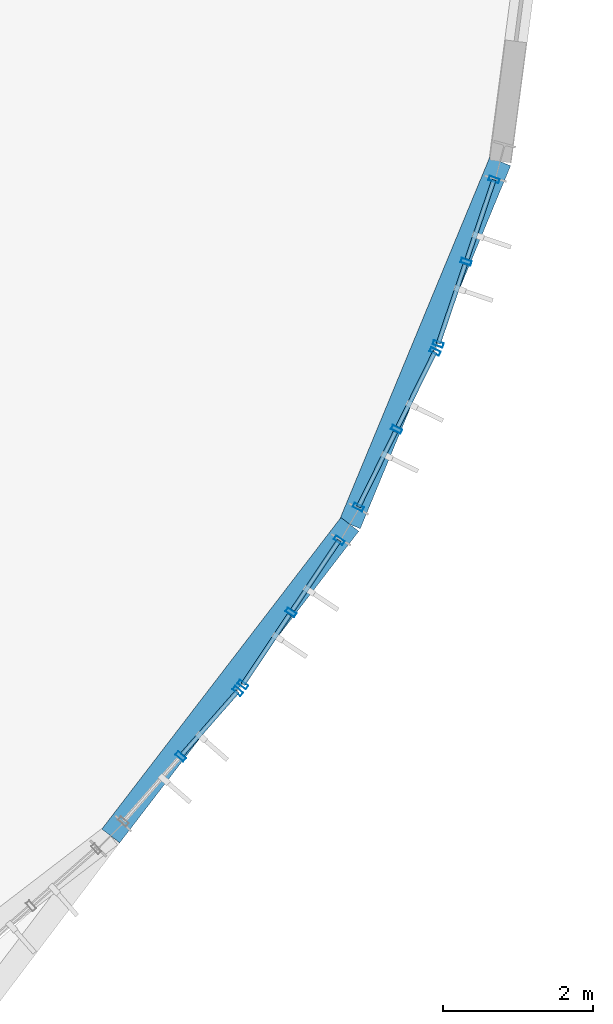
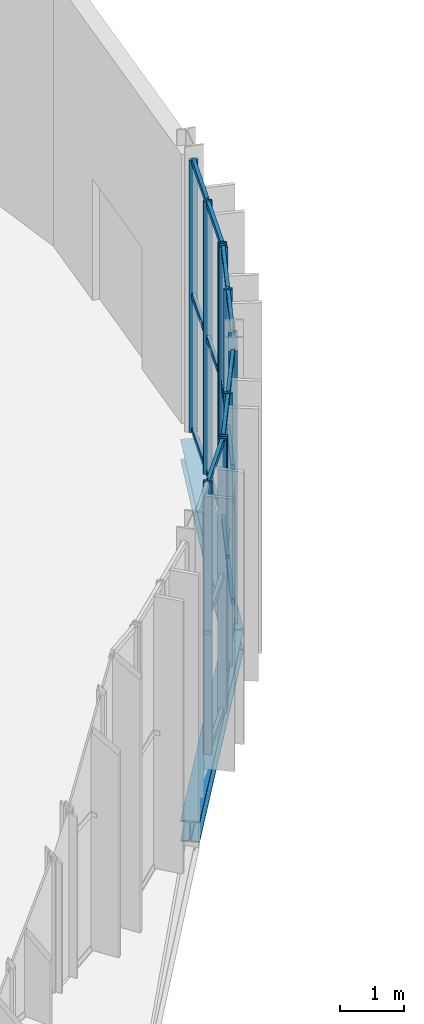
# One storey, part 54 of 158: 32 members, 2 beams, 4 elements without a shape of their own.
"""IFC4 building model written with IfcOpenShell, lengths in metres."""

from ifc_helpers import new_model, si_unit, derived_unit, direction, frame, origin, origin_2d, place, context, subcontext, project, spatial, hollow_rectangle, i_section, extrude, material, material_profile, profile_set, type_object, element, aggregate, save


model = new_model("IFC4")

# Units and contexts
model_context = context("Model", 3, precision=1e-05, world=origin(), true_north=direction((0.0, 1.0)))
body_context = subcontext(model_context, "Body", "Model", "MODEL_VIEW")
ifc_project = project(units=[si_unit("LENGTHUNIT", "METRE"), si_unit("AREAUNIT", "SQUARE_METRE"), si_unit("VOLUMEUNIT", "CUBIC_METRE"), si_unit("PLANEANGLEUNIT", "RADIAN"), si_unit("MASSUNIT", "GRAM", prefix="KILO"), si_unit("THERMODYNAMICTEMPERATUREUNIT", "KELVIN"), si_unit("TIMEUNIT", "SECOND"), derived_unit("THERMALTRANSMITTANCEUNIT", [(si_unit("MASSUNIT", "GRAM", prefix="KILO"), 1), (si_unit("THERMODYNAMICTEMPERATUREUNIT", "KELVIN"), -1), (si_unit("TIMEUNIT", "SECOND"), -3)])], contexts=[model_context])

# Site, building, storey
site_placement = place(None, origin())
site = spatial("IfcSite", under=ifc_project, at=site_placement, CompositionType="ELEMENT")
building_placement = place(site_placement, origin())
building = spatial("IfcBuilding", under=site, at=building_placement, Name="Cambertide Market Hall", CompositionType="ELEMENT")
storey_placement = place(building_placement, origin())
storey = spatial("IfcBuildingStorey", under=building, at=storey_placement, Name="L01", CompositionType="ELEMENT", Elevation=0.0)

# Curtain wall, members
ifc_material_1 = material(Name="Marine Anodized Aluminium 6063-T6 AA25", Category="aluminium")
curtain_wall_type = type_object("IfcCurtainWallType", Name="Lantern Apse Chord Lower Curtain Wall", PredefinedType="USERDEFINED", material=ifc_material_1)
curtain_wall_1_placement = place(storey_placement, origin())
curtain_wall_1 = element("IfcCurtainWall", 1, at=curtain_wall_1_placement, inside=storey, type_object=curtain_wall_type, Name="Level 1 Curtain Wall CW-V1AE-L01-07", ObjectType="UNITIZED CURTAIN WALL", PredefinedType="USERDEFINED")
ifc_material_2 = material(Name="Champagne Marine Anodized Aluminium 6063-T6 AA25", Category="aluminium")
ifc_material_profile_1 = material_profile(ifc_material_2, hollow_rectangle(XDim=0.06005859375, YDim=0.139892578125, WallThickness=0.00341796875, at=origin_2d()), Name="ALU MULLION 60x140")
ifc_profile_set_1 = profile_set([ifc_material_profile_1], Name="Champagne Marine Anodized Aluminium 6063-T6 AA25")
member_type_1 = type_object("IfcMemberType", Name="Curtain Wall Mullion ALU MULLION 60x140", PredefinedType="MULLION", material=ifc_profile_set_1)
member_1_placement = place(storey_placement, frame((120.830810546875, 59.783447265625, 0.0), z_axis=(0.0, 0.0, 1.0), x_axis=(-0.659345784014, -0.751839834741, 0.0)))
member_1 = element("IfcMember", 2, at=member_1_placement, type_object=member_type_1, Name="CW-V1AE-L01-07 Mullion 1", PredefinedType="MULLION", context=body_context, shape_type="SweptSolid", body=[
    extrude(hollow_rectangle(XDim=0.06005859375, YDim=0.139892578125, WallThickness=0.00341796875, at=origin_2d()), origin(), (0.0, 0.0, 1.0), 5.159912109375),
])
member_2_placement = place(storey_placement, frame((120.070556640625, 58.91650390625, 0.0), z_axis=(0.0, 0.0, 1.0), x_axis=(-0.659345784014, -0.751839834741, 0.0)))
member_2 = element("IfcMember", 3, at=member_2_placement, type_object=member_type_1, Name="CW-V1AE-L01-07 Mullion 2", PredefinedType="MULLION", context=body_context, shape_type="SweptSolid", body=[
    extrude(hollow_rectangle(XDim=0.06005859375, YDim=0.139892578125, WallThickness=0.00341796875, at=origin_2d()), origin(), (0.0, 0.0, 1.0), 5.159912109375),
])

curtain_wall_2_placement = place(storey_placement, origin())
curtain_wall_2 = element("IfcCurtainWall", 4, at=curtain_wall_2_placement, inside=storey, type_object=curtain_wall_type, Name="Level 1 Curtain Wall CW-V1AE-L01-08", ObjectType="UNITIZED CURTAIN WALL", PredefinedType="USERDEFINED")
member_3_placement = place(storey_placement, frame((122.178955078125, 61.7880859375, 0.0), z_axis=(0.0, 0.0, 1.0), x_axis=(-0.555570087582, -0.831469709481, 0.0)))
member_3 = element("IfcMember", 5, at=member_3_placement, type_object=member_type_1, Name="CW-V1AE-L01-08 Mullion 1", PredefinedType="MULLION", context=body_context, shape_type="SweptSolid", body=[
    extrude(hollow_rectangle(XDim=0.06005859375, YDim=0.139892578125, WallThickness=0.00341796875, at=origin_2d()), origin(), (0.0, 0.0, 1.0), 5.159912109375),
])
member_4_placement = place(storey_placement, frame((121.538330078125, 60.829345703125, 0.0), z_axis=(0.0, 0.0, 1.0), x_axis=(-0.555570087582, -0.831469709481, 0.0)))
member_4 = element("IfcMember", 6, at=member_4_placement, type_object=member_type_1, Name="CW-V1AE-L01-08 Mullion 2", PredefinedType="MULLION", context=body_context, shape_type="SweptSolid", body=[
    extrude(hollow_rectangle(XDim=0.06005859375, YDim=0.139892578125, WallThickness=0.00341796875, at=origin_2d()), origin(), (0.0, 0.0, 1.0), 5.159912109375),
])
member_5_placement = place(storey_placement, frame((120.897705078125, 59.87060546875, 0.0), z_axis=(0.0, 0.0, 1.0), x_axis=(-0.555570087582, -0.831469709481, 0.0)))
member_5 = element("IfcMember", 7, at=member_5_placement, type_object=member_type_1, Name="CW-V1AE-L01-08 Mullion 3", PredefinedType="MULLION", context=body_context, shape_type="SweptSolid", body=[
    extrude(hollow_rectangle(XDim=0.06005859375, YDim=0.139892578125, WallThickness=0.00341796875, at=origin_2d()), origin(), (0.0, 0.0, 1.0), 5.159912109375),
])

curtain_wall_3_placement = place(storey_placement, origin())
curtain_wall_3 = element("IfcCurtainWall", 8, at=curtain_wall_3_placement, inside=storey, type_object=curtain_wall_type, Name="Level 1 Curtain Wall CW-V1AE-L01-09", ObjectType="UNITIZED CURTAIN WALL", PredefinedType="USERDEFINED")
member_6_placement = place(storey_placement, frame((123.453369140625, 64.297119140625, 0.0), z_axis=(0.0, 0.0, 1.0), x_axis=(-0.442288874522, -0.896872650645, 0.0)))
member_6 = element("IfcMember", 9, at=member_6_placement, type_object=member_type_1, Name="CW-V1AE-L01-09 Mullion 1", PredefinedType="MULLION", context=body_context, shape_type="SweptSolid", body=[
    extrude(hollow_rectangle(XDim=0.06005859375, YDim=0.139892578125, WallThickness=0.00341796875, at=origin_2d()), origin(), (0.0, 0.0, 1.0), 5.159912109375),
])
member_7_placement = place(storey_placement, frame((122.943359375, 63.262939453125, 0.0), z_axis=(0.0, 0.0, 1.0), x_axis=(-0.442288874522, -0.896872650645, 0.0)))
member_7 = element("IfcMember", 10, at=member_7_placement, type_object=member_type_1, Name="CW-V1AE-L01-09 Mullion 2", PredefinedType="MULLION", context=body_context, shape_type="SweptSolid", body=[
    extrude(hollow_rectangle(XDim=0.06005859375, YDim=0.139892578125, WallThickness=0.00341796875, at=origin_2d()), origin(), (0.0, 0.0, 1.0), 5.159912109375),
])
member_8_placement = place(storey_placement, frame((122.433349609375, 62.228759765625, 0.0), z_axis=(0.0, 0.0, 1.0), x_axis=(-0.442288874522, -0.896872650645, 0.0)))
member_8 = element("IfcMember", 11, at=member_8_placement, type_object=member_type_1, Name="CW-V1AE-L01-09 Mullion 3", PredefinedType="MULLION", context=body_context, shape_type="SweptSolid", body=[
    extrude(hollow_rectangle(XDim=0.06005859375, YDim=0.139892578125, WallThickness=0.00341796875, at=origin_2d()), origin(), (0.0, 0.0, 1.0), 5.159912109375),
])

curtain_wall_4_placement = place(storey_placement, origin())
curtain_wall_4 = element("IfcCurtainWall", 12, at=curtain_wall_4_placement, inside=storey, type_object=curtain_wall_type, Name="Level 1 Curtain Wall CW-V1AE-L01-10", ObjectType="UNITIZED CURTAIN WALL", PredefinedType="USERDEFINED")
member_9_placement = place(storey_placement, frame((124.236572265625, 66.58203125, 0.0), z_axis=(0.0, 0.0, 1.0), x_axis=(-0.32143947831, -0.94693012508, 0.0)))
member_9 = element("IfcMember", 13, at=member_9_placement, type_object=member_type_1, Name="CW-V1AE-L01-10 Mullion 1", PredefinedType="MULLION", context=body_context, shape_type="SweptSolid", body=[
    extrude(hollow_rectangle(XDim=0.06005859375, YDim=0.139892578125, WallThickness=0.00341796875, at=origin_2d()), origin(), (0.0, 0.0, 1.0), 5.159912109375),
])
member_10_placement = place(storey_placement, frame((123.865966796875, 65.490234375, 0.0), z_axis=(0.0, 0.0, 1.0), x_axis=(-0.32143947831, -0.94693012508, 0.0)))
member_10 = element("IfcMember", 14, at=member_10_placement, type_object=member_type_1, Name="CW-V1AE-L01-10 Mullion 2", PredefinedType="MULLION", context=body_context, shape_type="SweptSolid", body=[
    extrude(hollow_rectangle(XDim=0.06005859375, YDim=0.139892578125, WallThickness=0.00341796875, at=origin_2d()), origin(), (0.0, 0.0, 1.0), 5.159912109375),
])
member_11_placement = place(storey_placement, frame((123.495361328125, 64.3984375, 0.0), z_axis=(0.0, 0.0, 1.0), x_axis=(-0.32143947831, -0.94693012508, 0.0)))
member_11 = element("IfcMember", 15, at=member_11_placement, type_object=member_type_1, Name="CW-V1AE-L01-10 Mullion 3", PredefinedType="MULLION", context=body_context, shape_type="SweptSolid", body=[
    extrude(hollow_rectangle(XDim=0.06005859375, YDim=0.139892578125, WallThickness=0.00341796875, at=origin_2d()), origin(), (0.0, 0.0, 1.0), 5.159912109375),
])

# Member
ifc_material_3 = material(Name="Champagne Marine Anodized Aluminium 6063-T6 AA25", Category="aluminium")
ifc_material_profile_2 = material_profile(ifc_material_3, hollow_rectangle(XDim=0.06005859375, YDim=0.10498046875, WallThickness=0.0029296875, at=origin_2d()), Name="ALU TRANSOM 60x105")
ifc_profile_set_2 = profile_set([ifc_material_profile_2], Name="Champagne Marine Anodized Aluminium 6063-T6 AA25")
member_type_2 = type_object("IfcMemberType", Name="Curtain Wall Transom ALU TRANSOM 60x105", PredefinedType="USERDEFINED", material=ifc_profile_set_2)
member_12_placement = place(storey_placement, frame((120.827392578125, 59.779541015625, 0.034912109375), z_axis=(-0.659315460062, -0.751866427049, 0.0), x_axis=(0.751866427049, -0.659315460062, 0.0)))
member_12 = element("IfcMember", 16, at=member_12_placement, type_object=member_type_2, Name="CW-V1AE-L01-07 Transom 1-1", ObjectType="TRANSOM", PredefinedType="USERDEFINED", context=body_context, shape_type="SweptSolid", body=[
    extrude(hollow_rectangle(XDim=0.06005859375, YDim=0.10498046875, WallThickness=0.0029296875, at=origin_2d()), origin(), (0.0, 0.0, 1.0), 1.10791015625),
])

member_13_placement = place(storey_placement, frame((120.827392578125, 59.779541015625, 2.580078125), z_axis=(-0.659315460062, -0.751866427049, 0.0), x_axis=(0.751866427049, -0.659315460062, 0.0)))
member_13 = element("IfcMember", 17, at=member_13_placement, type_object=member_type_2, Name="CW-V1AE-L01-07 Transom 2-1", ObjectType="TRANSOM", PredefinedType="USERDEFINED", context=body_context, shape_type="SweptSolid", body=[
    extrude(hollow_rectangle(XDim=0.06005859375, YDim=0.10498046875, WallThickness=0.0029296875, at=origin_2d()), origin(), (0.0, 0.0, 1.0), 1.10791015625),
])

member_14_placement = place(storey_placement, frame((120.827392578125, 59.779541015625, 5.125), z_axis=(-0.659315460062, -0.751866427049, 0.0), x_axis=(0.751866427049, -0.659315460062, 0.0)))
member_14 = element("IfcMember", 18, at=member_14_placement, type_object=member_type_2, Name="CW-V1AE-L01-07 Transom 3-1", ObjectType="TRANSOM", PredefinedType="USERDEFINED", context=body_context, shape_type="SweptSolid", body=[
    extrude(hollow_rectangle(XDim=0.06005859375, YDim=0.10498046875, WallThickness=0.0029296875, at=origin_2d()), origin(), (0.0, 0.0, 1.0), 1.10791015625),
])

aggregate(curtain_wall_1, [member_1, member_2, member_12, member_13, member_14])

member_15_placement = place(storey_placement, frame((122.176025390625, 61.783935546875, 0.034912109375), z_axis=(-0.555462658685, -0.83154148111, 0.0), x_axis=(0.83154148111, -0.555462658685, 0.0)))
member_15 = element("IfcMember", 19, at=member_15_placement, type_object=member_type_2, Name="CW-V1AE-L01-08 Transom 1-1", ObjectType="TRANSOM", PredefinedType="USERDEFINED", context=body_context, shape_type="SweptSolid", body=[
    extrude(hollow_rectangle(XDim=0.06005859375, YDim=0.10498046875, WallThickness=0.0029296875, at=origin_2d()), origin(), (0.0, 0.0, 1.0), 1.108154296875),
])

member_16_placement = place(storey_placement, frame((121.51611328125, 60.7958984375, 0.034912109375), z_axis=(-0.55571677103, -0.831371680054, 0.0), x_axis=(0.831371680054, -0.55571677103, 0.0)))
member_16 = element("IfcMember", 20, at=member_16_placement, type_object=member_type_2, Name="CW-V1AE-L01-08 Transom 1-2", ObjectType="TRANSOM", PredefinedType="USERDEFINED", context=body_context, shape_type="SweptSolid", body=[
    extrude(hollow_rectangle(XDim=0.06005859375, YDim=0.10498046875, WallThickness=0.0029296875, at=origin_2d()), origin(), (0.0, 0.0, 1.0), 1.10791015625),
])

member_17_placement = place(storey_placement, frame((122.176025390625, 61.783935546875, 2.580078125), z_axis=(-0.555462658685, -0.83154148111, 0.0), x_axis=(0.83154148111, -0.555462658685, 0.0)))
member_17 = element("IfcMember", 21, at=member_17_placement, type_object=member_type_2, Name="CW-V1AE-L01-08 Transom 2-1", ObjectType="TRANSOM", PredefinedType="USERDEFINED", context=body_context, shape_type="SweptSolid", body=[
    extrude(hollow_rectangle(XDim=0.06005859375, YDim=0.10498046875, WallThickness=0.0029296875, at=origin_2d()), origin(), (0.0, 0.0, 1.0), 1.108154296875),
])

member_18_placement = place(storey_placement, frame((121.51611328125, 60.7958984375, 2.580078125), z_axis=(-0.55571677103, -0.831371680054, 0.0), x_axis=(0.831371680054, -0.55571677103, 0.0)))
member_18 = element("IfcMember", 22, at=member_18_placement, type_object=member_type_2, Name="CW-V1AE-L01-08 Transom 2-2", ObjectType="TRANSOM", PredefinedType="USERDEFINED", context=body_context, shape_type="SweptSolid", body=[
    extrude(hollow_rectangle(XDim=0.06005859375, YDim=0.10498046875, WallThickness=0.0029296875, at=origin_2d()), origin(), (0.0, 0.0, 1.0), 1.10791015625),
])

member_19_placement = place(storey_placement, frame((122.176025390625, 61.783935546875, 5.125), z_axis=(-0.555462658685, -0.83154148111, 0.0), x_axis=(0.83154148111, -0.555462658685, 0.0)))
member_19 = element("IfcMember", 23, at=member_19_placement, type_object=member_type_2, Name="CW-V1AE-L01-08 Transom 3-1", ObjectType="TRANSOM", PredefinedType="USERDEFINED", context=body_context, shape_type="SweptSolid", body=[
    extrude(hollow_rectangle(XDim=0.06005859375, YDim=0.10498046875, WallThickness=0.0029296875, at=origin_2d()), origin(), (0.0, 0.0, 1.0), 1.108154296875),
])

member_20_placement = place(storey_placement, frame((121.51611328125, 60.7958984375, 5.125), z_axis=(-0.55571677103, -0.831371680054, 0.0), x_axis=(0.831371680054, -0.55571677103, 0.0)))
member_20 = element("IfcMember", 24, at=member_20_placement, type_object=member_type_2, Name="CW-V1AE-L01-08 Transom 3-2", ObjectType="TRANSOM", PredefinedType="USERDEFINED", context=body_context, shape_type="SweptSolid", body=[
    extrude(hollow_rectangle(XDim=0.06005859375, YDim=0.10498046875, WallThickness=0.0029296875, at=origin_2d()), origin(), (0.0, 0.0, 1.0), 1.10791015625),
])

aggregate(curtain_wall_2, [member_3, member_4, member_5, member_15, member_16, member_17, member_18, member_19, member_20])

member_21_placement = place(storey_placement, frame((123.451171875, 64.29248046875, 0.034912109375), z_axis=(-0.44244786472, -0.896794227794, 0.0), x_axis=(0.896794227794, -0.44244786472, 0.0)))
member_21 = element("IfcMember", 25, at=member_21_placement, type_object=member_type_2, Name="CW-V1AE-L01-09 Transom 1-1", ObjectType="TRANSOM", PredefinedType="USERDEFINED", context=body_context, shape_type="SweptSolid", body=[
    extrude(hollow_rectangle(XDim=0.06005859375, YDim=0.10498046875, WallThickness=0.0029296875, at=origin_2d()), origin(), (0.0, 0.0, 1.0), 1.10791015625),
])

member_22_placement = place(storey_placement, frame((122.925537109375, 63.22705078125, 0.034912109375), z_axis=(-0.442183235129, -0.896924738521, 0.0), x_axis=(0.896924738521, -0.442183235129, 0.0)))
member_22 = element("IfcMember", 26, at=member_22_placement, type_object=member_type_2, Name="CW-V1AE-L01-09 Transom 1-2", ObjectType="TRANSOM", PredefinedType="USERDEFINED", context=body_context, shape_type="SweptSolid", body=[
    extrude(hollow_rectangle(XDim=0.06005859375, YDim=0.10498046875, WallThickness=0.0029296875, at=origin_2d()), origin(), (0.0, 0.0, 1.0), 1.108154296875),
])

member_23_placement = place(storey_placement, frame((123.451171875, 64.29248046875, 2.580078125), z_axis=(-0.44244786472, -0.896794227794, 0.0), x_axis=(0.896794227794, -0.44244786472, 0.0)))
member_23 = element("IfcMember", 27, at=member_23_placement, type_object=member_type_2, Name="CW-V1AE-L01-09 Transom 2-1", ObjectType="TRANSOM", PredefinedType="USERDEFINED", context=body_context, shape_type="SweptSolid", body=[
    extrude(hollow_rectangle(XDim=0.06005859375, YDim=0.10498046875, WallThickness=0.0029296875, at=origin_2d()), origin(), (0.0, 0.0, 1.0), 1.10791015625),
])

member_24_placement = place(storey_placement, frame((122.925537109375, 63.22705078125, 2.580078125), z_axis=(-0.442183235129, -0.896924738521, 0.0), x_axis=(0.896924738521, -0.442183235129, 0.0)))
member_24 = element("IfcMember", 28, at=member_24_placement, type_object=member_type_2, Name="CW-V1AE-L01-09 Transom 2-2", ObjectType="TRANSOM", PredefinedType="USERDEFINED", context=body_context, shape_type="SweptSolid", body=[
    extrude(hollow_rectangle(XDim=0.06005859375, YDim=0.10498046875, WallThickness=0.0029296875, at=origin_2d()), origin(), (0.0, 0.0, 1.0), 1.108154296875),
])

member_25_placement = place(storey_placement, frame((123.451171875, 64.29248046875, 5.125), z_axis=(-0.44244786472, -0.896794227794, 0.0), x_axis=(0.896794227794, -0.44244786472, 0.0)))
member_25 = element("IfcMember", 29, at=member_25_placement, type_object=member_type_2, Name="CW-V1AE-L01-09 Transom 3-1", ObjectType="TRANSOM", PredefinedType="USERDEFINED", context=body_context, shape_type="SweptSolid", body=[
    extrude(hollow_rectangle(XDim=0.06005859375, YDim=0.10498046875, WallThickness=0.0029296875, at=origin_2d()), origin(), (0.0, 0.0, 1.0), 1.10791015625),
])

member_26_placement = place(storey_placement, frame((122.925537109375, 63.22705078125, 5.125), z_axis=(-0.442183235129, -0.896924738521, 0.0), x_axis=(0.896924738521, -0.442183235129, 0.0)))
member_26 = element("IfcMember", 30, at=member_26_placement, type_object=member_type_2, Name="CW-V1AE-L01-09 Transom 3-2", ObjectType="TRANSOM", PredefinedType="USERDEFINED", context=body_context, shape_type="SweptSolid", body=[
    extrude(hollow_rectangle(XDim=0.06005859375, YDim=0.10498046875, WallThickness=0.0029296875, at=origin_2d()), origin(), (0.0, 0.0, 1.0), 1.108154296875),
])

aggregate(curtain_wall_3, [member_6, member_7, member_8, member_21, member_22, member_23, member_24, member_25, member_26])

member_27_placement = place(storey_placement, frame((124.23486328125, 66.577392578125, 0.034912109375), z_axis=(-0.321444521782, -0.946928413037, 0.0), x_axis=(0.946928413037, -0.321444521782, 0.0)))
member_27 = element("IfcMember", 31, at=member_27_placement, type_object=member_type_2, Name="CW-V1AE-L01-10 Transom 1-1", ObjectType="TRANSOM", PredefinedType="USERDEFINED", context=body_context, shape_type="SweptSolid", body=[
    extrude(hollow_rectangle(XDim=0.06005859375, YDim=0.10498046875, WallThickness=0.0029296875, at=origin_2d()), origin(), (0.0, 0.0, 1.0), 1.108154296875),
])

member_28_placement = place(storey_placement, frame((123.85302734375, 65.452392578125, 0.034912109375), z_axis=(-0.321444521782, -0.946928413037, 0.0), x_axis=(0.946928413037, -0.321444521782, 0.0)))
member_28 = element("IfcMember", 32, at=member_28_placement, type_object=member_type_2, Name="CW-V1AE-L01-10 Transom 1-2", ObjectType="TRANSOM", PredefinedType="USERDEFINED", context=body_context, shape_type="SweptSolid", body=[
    extrude(hollow_rectangle(XDim=0.06005859375, YDim=0.10498046875, WallThickness=0.0029296875, at=origin_2d()), origin(), (0.0, 0.0, 1.0), 1.108154296875),
])

member_29_placement = place(storey_placement, frame((124.23486328125, 66.577392578125, 2.580078125), z_axis=(-0.321444521782, -0.946928413037, 0.0), x_axis=(0.946928413037, -0.321444521782, 0.0)))
member_29 = element("IfcMember", 33, at=member_29_placement, type_object=member_type_2, Name="CW-V1AE-L01-10 Transom 2-1", ObjectType="TRANSOM", PredefinedType="USERDEFINED", context=body_context, shape_type="SweptSolid", body=[
    extrude(hollow_rectangle(XDim=0.06005859375, YDim=0.10498046875, WallThickness=0.0029296875, at=origin_2d()), origin(), (0.0, 0.0, 1.0), 1.108154296875),
])

member_30_placement = place(storey_placement, frame((123.85302734375, 65.452392578125, 2.580078125), z_axis=(-0.321444521782, -0.946928413037, 0.0), x_axis=(0.946928413037, -0.321444521782, 0.0)))
member_30 = element("IfcMember", 34, at=member_30_placement, type_object=member_type_2, Name="CW-V1AE-L01-10 Transom 2-2", ObjectType="TRANSOM", PredefinedType="USERDEFINED", context=body_context, shape_type="SweptSolid", body=[
    extrude(hollow_rectangle(XDim=0.06005859375, YDim=0.10498046875, WallThickness=0.0029296875, at=origin_2d()), origin(), (0.0, 0.0, 1.0), 1.108154296875),
])

member_31_placement = place(storey_placement, frame((124.23486328125, 66.577392578125, 5.125), z_axis=(-0.321444521782, -0.946928413037, 0.0), x_axis=(0.946928413037, -0.321444521782, 0.0)))
member_31 = element("IfcMember", 35, at=member_31_placement, type_object=member_type_2, Name="CW-V1AE-L01-10 Transom 3-1", ObjectType="TRANSOM", PredefinedType="USERDEFINED", context=body_context, shape_type="SweptSolid", body=[
    extrude(hollow_rectangle(XDim=0.06005859375, YDim=0.10498046875, WallThickness=0.0029296875, at=origin_2d()), origin(), (0.0, 0.0, 1.0), 1.108154296875),
])

member_32_placement = place(storey_placement, frame((123.85302734375, 65.452392578125, 5.125), z_axis=(-0.321444521782, -0.946928413037, 0.0), x_axis=(0.946928413037, -0.321444521782, 0.0)))
member_32 = element("IfcMember", 36, at=member_32_placement, type_object=member_type_2, Name="CW-V1AE-L01-10 Transom 3-2", ObjectType="TRANSOM", PredefinedType="USERDEFINED", context=body_context, shape_type="SweptSolid", body=[
    extrude(hollow_rectangle(XDim=0.06005859375, YDim=0.10498046875, WallThickness=0.0029296875, at=origin_2d()), origin(), (0.0, 0.0, 1.0), 1.108154296875),
])

aggregate(curtain_wall_4, [member_9, member_10, member_11, member_27, member_28, member_29, member_30, member_31, member_32])

# Beams
ifc_material_4 = material(Name="Steel S355", Category="steel")
ifc_material_profile_3 = material_profile(ifc_material_4, i_section(OverallWidth=0.300048828125, OverallDepth=0.39990234375, WebThickness=0.013427734375, FlangeThickness=0.02392578125, FilletRadius=0.027099609375, at=origin_2d()), Name="HEB 400")
ifc_profile_set_3 = profile_set([ifc_material_profile_3], Name="Steel S355")
beam_type = type_object("IfcBeamType", Name="Steel Girder HEB 400", PredefinedType="BEAM", material=ifc_profile_set_3)
beam_1_placement = place(storey_placement, frame((119.14208984375, 57.85791015625, -0.510009765625), z_axis=(0.608777037117, 0.793341363525, 0.0), x_axis=(-0.793341363525, 0.608777037117, 0.0)))
element("IfcBeam", 37, at=beam_1_placement, inside=storey, type_object=beam_type, Name="Level 1 Beam BM-V1AE-L01-4", PredefinedType="BEAM", context=body_context, shape_type="SweptSolid", body=[
    extrude(i_section(OverallWidth=0.300048828125, OverallDepth=0.39990234375, WebThickness=0.013427734375, FlangeThickness=0.02392578125, FilletRadius=0.027099609375, at=origin_2d()), origin(), (0.0, 0.0, 1.0), 5.220947265625),
])
beam_2_placement = place(storey_placement, frame((122.320556640625, 62.0, -0.510009765625), z_axis=(0.382682172528, 0.923880054352, 0.0), x_axis=(-0.923880054352, 0.382682172528, 0.0)))
element("IfcBeam", 38, at=beam_2_placement, inside=storey, type_object=beam_type, Name="Level 1 Beam BM-V1AE-L01-5", PredefinedType="BEAM", context=body_context, shape_type="SweptSolid", body=[
    extrude(i_section(OverallWidth=0.300048828125, OverallDepth=0.39990234375, WebThickness=0.013427734375, FlangeThickness=0.02392578125, FilletRadius=0.027099609375, at=origin_2d()), origin(), (0.0, 0.0, 1.0), 5.22119140625),
])

save(model, "model.ifc")
